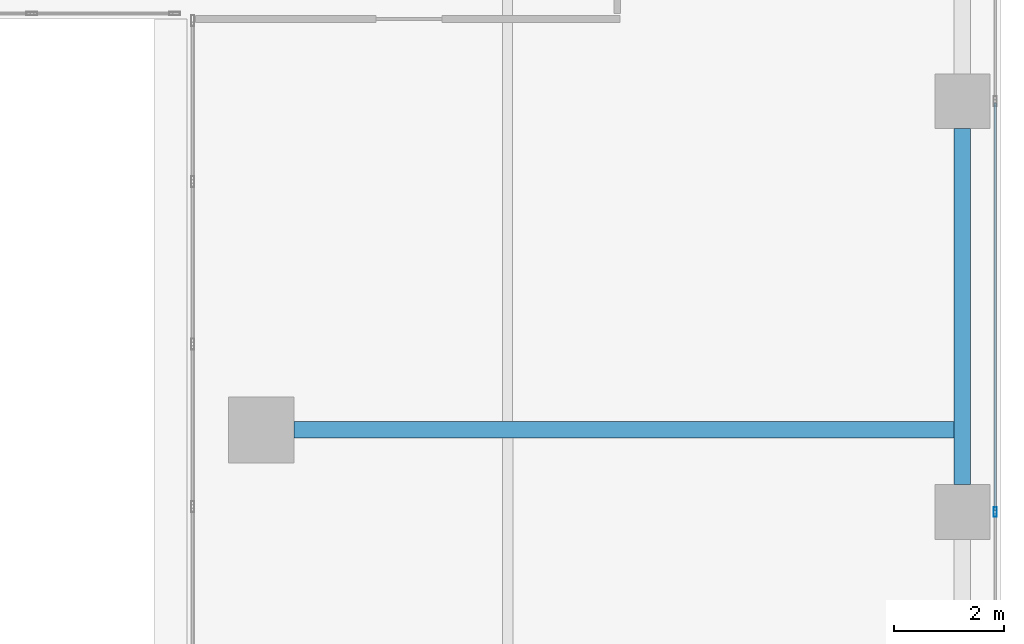
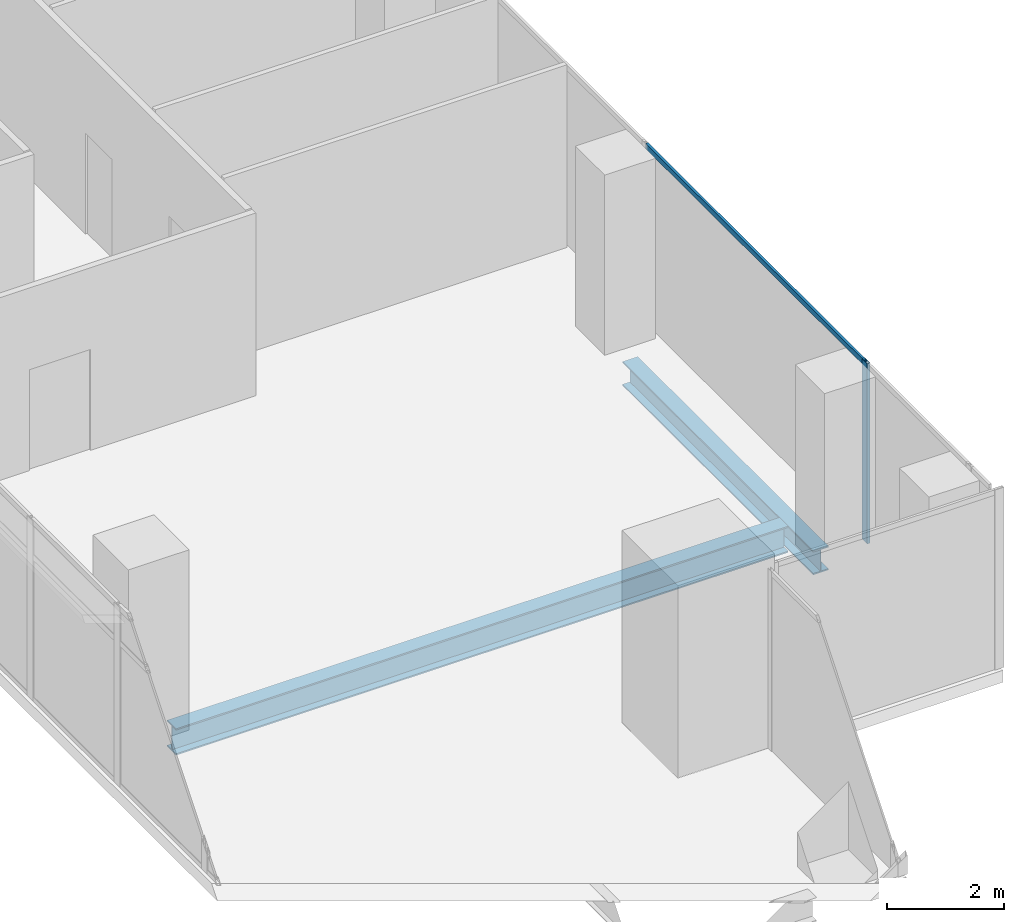
# One storey, part 13 of 40: 2 beams, 2 members, 1 element without a shape of its own.
"""IFC4 building model written with IfcOpenShell, lengths in metres."""

import ifcopenshell
import ifcopenshell.guid

model = None  # the IFC model being written
_history = None  # IfcOwnerHistory: only IFC2X3 demands one
_inside = {}  # id of a spatial element -> (the spatial element, [elements in it])
_under = {}  # id of a project, library or spatial element -> (it, [spatial elements below it])
_declared = {}  # id of a project -> (the project, [libraries it declares])
_typed = {}  # id of a type object -> (the type object, [elements of that type])
_made_of = {}  # id of a material, layer set ... -> (it, [elements and type objects made of it])


def new_model(schema):
    """Start an empty IFC model of exactly this schema.

    Asked for "IFC4X3", IfcOpenShell would pick the latest addendum, in which some entities
    have other attributes; the version numbers below select the first issue.
    IFC2X3 requires an IfcOwnerHistory on every rooted entity: one is made here for all.
    """
    global model, _history
    if schema == "IFC4X3":
        model = ifcopenshell.file(schema_version=(4, 3, 0, 0))
    else:
        model = ifcopenshell.file(schema=schema)
    _inside.clear()
    _under.clear()
    _declared.clear()
    _typed.clear()
    _made_of.clear()
    _history = None
    if model.schema == "IFC2X3":
        org = make("IfcOrganization", Name="unknown")
        user = make(
            "IfcPersonAndOrganization",
            ThePerson=make("IfcPerson", FamilyName="unknown"),
            TheOrganization=org,
        )
        app = make(
            "IfcApplication",
            ApplicationDeveloper=org,
            Version="unknown",
            ApplicationFullName="unknown",
            ApplicationIdentifier="unknown",
        )
        _history = make(
            "IfcOwnerHistory",
            OwningUser=user,
            OwningApplication=app,
            ChangeAction="ADDED",
            CreationDate=0,
        )
    return model


def make(cls, **values):
    """One entity of the class cls with the attributes given. An attribute that is None is left unset."""
    return model.create_entity(
        cls, **{name: value for name, value in values.items() if value is not None}
    )


def rooted(cls, **values):
    """An entity with a GlobalId (a new one), such as an element, a storey or a relation."""
    return make(cls, GlobalId=ifcopenshell.guid.new(), OwnerHistory=_history, **values)


def si_unit(unit_type, name, prefix=None):
    """IfcSIUnit, for example si_unit("LENGTHUNIT", "METRE", prefix="MILLI")."""
    return make("IfcSIUnit", UnitType=unit_type, Prefix=prefix, Name=name)


def assignment(units):
    """IfcUnitAssignment: the units of a project."""
    return None if units is None else make("IfcUnitAssignment", Units=units)


def point(xyz):
    """IfcCartesianPoint."""
    return None if xyz is None else make("IfcCartesianPoint", Coordinates=xyz)


def direction(xyz):
    """IfcDirection."""
    return None if xyz is None else make("IfcDirection", DirectionRatios=xyz)


def frame(location, z_axis=None, x_axis=None):
    """IfcAxis2Placement3D, a coordinate frame: its origin and axes. An axis left out is left unset."""
    return make(
        "IfcAxis2Placement3D",
        Location=point(location),
        Axis=direction(z_axis),
        RefDirection=direction(x_axis),
    )


def frame_2d(location, x_axis=None):
    """IfcAxis2Placement2D, a coordinate frame in the plane: its origin and x axis."""
    return make(
        "IfcAxis2Placement2D", Location=point(location), RefDirection=direction(x_axis)
    )


def origin():
    """The frame at (0, 0, 0) with its axes left unset."""
    return frame((0.0, 0.0, 0.0))


def origin_2d():
    """The frame at (0, 0) in the plane with its x axis left unset."""
    return frame_2d((0.0, 0.0))


def place(relative_to, where):
    """IfcLocalPlacement: puts the frame where relative to a parent placement (None: the world)."""
    return make(
        "IfcLocalPlacement", PlacementRelTo=relative_to, RelativePlacement=where
    )


def context(
    kind, dimensions, precision=None, world=None, true_north=None, identifier=None
):
    """IfcGeometricRepresentationContext, for example the 3D "Model" context."""
    return make(
        "IfcGeometricRepresentationContext",
        ContextIdentifier=identifier,
        ContextType=kind,
        CoordinateSpaceDimension=dimensions,
        Precision=precision,
        WorldCoordinateSystem=world,
        TrueNorth=true_north,
    )


def subcontext(parent, identifier, kind, view, scale=None):
    """IfcGeometricRepresentationSubContext, for example "Body" below "Model"."""
    return make(
        "IfcGeometricRepresentationSubContext",
        ContextIdentifier=identifier,
        ContextType=kind,
        ParentContext=parent,
        TargetScale=scale,
        TargetView=view,
    )


def project(units=None, contexts=None):
    """IfcProject with its units and contexts."""
    return rooted(
        "IfcProject",
        Name="project",
        RepresentationContexts=contexts,
        UnitsInContext=assignment(units),
    )


def spatial(cls, under=None, at=None, **own):
    """A site, building, storey or space (cls), placed at a placement, below another one or the project."""
    s = rooted(cls, ObjectPlacement=at, **own)
    if under is not None:
        _under.setdefault(under.id(), (under, []))[1].append(s)
    return s


def profile(cls, at=None, kind="AREA", **sizes):
    """A parametric profile (cls). Its sizes go by their IFC names, for example OverallWidth=200.0."""
    return make(cls, ProfileType=kind, Position=at, **sizes)


def hollow_rectangle(**sizes):
    """IfcRectangleHollowProfileDef."""
    return profile("IfcRectangleHollowProfileDef", **sizes)


def i_section(**sizes):
    """IfcIShapeProfileDef."""
    return profile("IfcIShapeProfileDef", **sizes)


def extrude(swept, where, along, depth):
    """IfcExtrudedAreaSolid: the profile swept, set in the frame where, extruded along a direction by depth."""
    return make(
        "IfcExtrudedAreaSolid",
        SweptArea=swept,
        Position=where,
        ExtrudedDirection=direction(along),
        Depth=depth,
    )


def shape(context_of_items, identifier, shape_type, items):
    """IfcShapeRepresentation: the items that make up one representation, for example the "Body"."""
    return make(
        "IfcShapeRepresentation",
        ContextOfItems=context_of_items,
        RepresentationIdentifier=identifier,
        RepresentationType=shape_type,
        Items=items,
    )


def source(mapping_origin, context_of_items, identifier, shape_type, items):
    """IfcRepresentationMap: a shape defined once, which mapped items show again and again."""
    return make(
        "IfcRepresentationMap",
        MappingOrigin=mapping_origin,
        MappedRepresentation=shape(context_of_items, identifier, shape_type, items),
    )


def transform(
    local_origin,
    x_axis=None,
    y_axis=None,
    z_axis=None,
    scale=None,
    scale2=None,
    scale3=None,
    uniform=True,
):
    """IfcCartesianTransformationOperator3D, or its non-uniform kind. x_axis, y_axis, z_axis: its Axis1, 2, 3."""
    if uniform:
        return make(
            "IfcCartesianTransformationOperator3D",
            Axis1=direction(x_axis),
            Axis2=direction(y_axis),
            LocalOrigin=point(local_origin),
            Scale=scale,
            Axis3=direction(z_axis),
        )
    return make(
        "IfcCartesianTransformationOperator3DnonUniform",
        Axis1=direction(x_axis),
        Axis2=direction(y_axis),
        LocalOrigin=point(local_origin),
        Scale=scale,
        Axis3=direction(z_axis),
        Scale2=scale2,
        Scale3=scale3,
    )


def mapped(mapping_source, mapping_target):
    """IfcMappedItem: shows the shape of a source again, moved by a transform."""
    return make(
        "IfcMappedItem", MappingSource=mapping_source, MappingTarget=mapping_target
    )


def material(Name=None, Category=None):
    """IfcMaterial."""
    return make("IfcMaterial", Name=Name, Category=Category)


def material_profile(
    of_material, cross_section, Name=None, Category=None, Priority=None
):
    """IfcMaterialProfile: a cross section and its material."""
    return make(
        "IfcMaterialProfile",
        Name=Name,
        Material=of_material,
        Profile=cross_section,
        Priority=Priority,
        Category=Category,
    )


def profile_set(profiles, Name=None, composite=None):
    """IfcMaterialProfileSet."""
    return make(
        "IfcMaterialProfileSet",
        Name=Name,
        MaterialProfiles=profiles,
        CompositeProfile=composite,
    )


def made_of(thing, what):
    """Note that an element or type object is made of a material, layer set ...; save() writes the relation."""
    if what is not None:
        _made_of.setdefault(what.id(), (what, []))[1].append(thing)
    return thing


def type_object(cls, material=None, **own):
    """A type object (cls), such as IfcWallType, which elements share."""
    return made_of(rooted(cls, **own), material)


def element(
    cls,
    number,
    at=None,
    inside=None,
    cuts=None,
    type_object=None,
    material=None,
    context=None,
    identifier="Body",
    shape_type=None,
    held_by="IfcProductDefinitionShape",
    body=None,
    shapes=None,
    **own,
):
    """One element of the class cls, such as IfcWall. Its Tag is "e" and its number.

    at: its placement. inside: the storey or other place that contains it. cuts: it is an
    opening in that element (IfcRelVoidsElement). A single representation is given by context,
    identifier, shape_type and body (its items); several are given by shapes. held_by: the class
    of the entity that holds the representations. save() writes the other relations.
    """
    e = rooted(cls, Tag="e%d" % number, ObjectPlacement=at, **own)
    if body is not None:
        shapes = [shape(context, identifier, shape_type, body)]
    if shapes is not None:
        e.Representation = make(held_by, Representations=shapes)
    if inside is not None:
        _inside.setdefault(inside.id(), (inside, []))[1].append(e)
    if cuts is not None:
        rooted(
            "IfcRelVoidsElement", RelatingBuildingElement=cuts, RelatedOpeningElement=e
        )
    if type_object is not None:
        _typed.setdefault(type_object.id(), (type_object, []))[1].append(e)
    return made_of(e, material)


def aggregate(whole, parts):
    """IfcRelAggregates: a whole, such as a stair, and the parts it consists of."""
    return rooted("IfcRelAggregates", RelatingObject=whole, RelatedObjects=parts)


def save(model, path):
    """Write the relations noted so far, then the file.

    IfcRelAggregates (storeys below a building ...), IfcRelContainedInSpatialStructure (elements
    in a storey), IfcRelDefinesByType, IfcRelAssociatesMaterial and IfcRelDeclares: one each for
    every whole, place, type object, material and project.
    """
    for whole, parts in _under.values():
        aggregate(whole, parts)
    for where, things in _inside.values():
        rooted(
            "IfcRelContainedInSpatialStructure",
            RelatedElements=things,
            RelatingStructure=where,
        )
    for kind, things in _typed.values():
        rooted("IfcRelDefinesByType", RelatedObjects=things, RelatingType=kind)
    for what, things in _made_of.values():
        rooted("IfcRelAssociatesMaterial", RelatedObjects=things, RelatingMaterial=what)
    for by, libraries in _declared.values():
        rooted("IfcRelDeclares", RelatingContext=by, RelatedDefinitions=libraries)
    model.write(path)


model = new_model("IFC4")

# Units and contexts
model_context = context("Model", 3, precision=1e-05, world=origin(), true_north=direction((0.0, 1.0)))
body_context = subcontext(model_context, "Body", "Model", "MODEL_VIEW")
ifc_project = project(units=[si_unit("LENGTHUNIT", "METRE"), si_unit("AREAUNIT", "SQUARE_METRE"), si_unit("VOLUMEUNIT", "CUBIC_METRE"), si_unit("PLANEANGLEUNIT", "RADIAN"), si_unit("MASSUNIT", "GRAM", prefix="KILO")], contexts=[model_context])

# Site, building, storey
site_placement = place(None, origin())
site = spatial("IfcSite", under=ifc_project, at=site_placement, CompositionType="ELEMENT")
building_placement = place(site_placement, origin())
building = spatial("IfcBuilding", under=site, at=building_placement, Name="Khomas Fold Tower", CompositionType="ELEMENT")
storey_placement = place(building_placement, frame((0.0, 0.0, 180.699951171875)))
storey = spatial("IfcBuildingStorey", under=building, at=storey_placement, Name="L39", CompositionType="ELEMENT", Elevation=180.699951171875)

# Beams
ifc_material_1 = material(Name="Steel S355", Category="steel")
ifc_material_profile_1 = material_profile(ifc_material_1, i_section(OverallWidth=0.300048828125, OverallDepth=0.5, WebThickness=0.014404296875, FlangeThickness=0.028076171875, at=origin_2d()), Name="HE 500 B")
ifc_profile_set_1 = profile_set([ifc_material_profile_1], Name="Steel S355")
beam_type_1 = type_object("IfcBeamType", Name="HE 500 B spandrel SB3", PredefinedType="SPANDREL", material=ifc_profile_set_1)
shared_shape_1 = source(origin(), body_context, "Body", "SweptSolid", [
    extrude(i_section(OverallWidth=0.300048828125, OverallDepth=0.5, WebThickness=0.014404296875, FlangeThickness=0.028076171875, at=origin_2d()), origin(), (0.0, 0.0, 1.0), 6.5),
])
beam_1_placement = place(storey_placement, frame((50.300048828125, 12.5, -0.5), z_axis=(0.0, 1.0, 0.0), x_axis=(-1.0, 0.0, 0.0)))
element("IfcBeam", 1, at=beam_1_placement, inside=storey, type_object=beam_type_1, Name="SB3", PredefinedType="SPANDREL", context=body_context, shape_type="MappedRepresentation", body=[
    mapped(shared_shape_1, transform((0.0, 0.0, 0.0))),
])
ifc_material_2 = material(Name="Steel S355", Category="steel")
ifc_material_profile_2 = material_profile(ifc_material_2, i_section(OverallWidth=0.300048828125, OverallDepth=0.550048828125, WebThickness=0.014892578125, FlangeThickness=0.029052734375, at=origin_2d()), Name="HE 550 B")
ifc_profile_set_2 = profile_set([ifc_material_profile_2], Name="Steel S355")
beam_type_2 = type_object("IfcBeamType", Name="HE 550 B beam GB4", PredefinedType="BEAM", material=ifc_profile_set_2)
shared_shape_2 = source(origin(), body_context, "Body", "SweptSolid", [
    extrude(i_section(OverallWidth=0.300048828125, OverallDepth=0.550048828125, WebThickness=0.014892578125, FlangeThickness=0.029052734375, at=origin_2d()), origin(), (0.0, 0.0, 1.0), 12.0498046875),
])
beam_2_placement = place(storey_placement, frame((38.10009765625, 13.5, -0.52490234375), z_axis=(1.0, 0.0, 0.0), x_axis=(0.0, 1.0, 0.0)))
element("IfcBeam", 2, at=beam_2_placement, inside=storey, type_object=beam_type_2, Name="GB4", PredefinedType="BEAM", context=body_context, shape_type="MappedRepresentation", body=[
    mapped(shared_shape_2, transform((0.0, 0.0, 0.0))),
])

# Curtain wall, members
ifc_material_3 = material(Name="Aluminium framed double glazing", Category="aluminium")
curtain_wall_type = type_object("IfcCurtainWallType", Name="SK-Unitised clear-glass wall, office floors CW2", PredefinedType="NOTDEFINED", material=ifc_material_3)
curtain_wall_placement = place(storey_placement, origin())
curtain_wall = element("IfcCurtainWall", 3, at=curtain_wall_placement, inside=storey, type_object=curtain_wall_type, Name="CW2 run L39 08-0", PredefinedType="NOTDEFINED")
ifc_material_4 = material(Name="Aluminium", Category="aluminium")
ifc_material_profile_3 = material_profile(ifc_material_4, hollow_rectangle(XDim=0.06005859375, YDim=0.179931640625, WallThickness=0.00390625, at=origin_2d()), Name="SK-Unitised clear-glass wall, office floors mullion CW2-M")
ifc_profile_set_3 = profile_set([ifc_material_profile_3], Name="Aluminium")
member_type_1 = type_object("IfcMemberType", Name="SK-Unitised clear-glass wall, office floors mullion CW2-M", PredefinedType="MULLION", material=ifc_profile_set_3)
shared_shape_3 = source(origin(), body_context, "Body", "SweptSolid", [
    extrude(hollow_rectangle(XDim=0.06005859375, YDim=0.179931640625, WallThickness=0.00390625, at=origin_2d()), origin(), (0.0, 0.0, 1.0), 3.75),
])
member_1_placement = place(storey_placement, frame((50.89990234375, 12.0, 0.0), z_axis=(0.0, 0.0, 1.0), x_axis=(-1.0, 0.0, 0.0)))
member_1 = element("IfcMember", 4, at=member_1_placement, type_object=member_type_1, Name="CW2 mullion 3", PredefinedType="MULLION", context=body_context, shape_type="MappedRepresentation", body=[
    mapped(shared_shape_3, transform((0.0, 0.0, 0.0))),
])
ifc_material_5 = material(Name="Aluminium", Category="aluminium")
ifc_material_profile_4 = material_profile(ifc_material_5, hollow_rectangle(XDim=0.050048828125, YDim=0.110107421875, WallThickness=0.00390625, at=origin_2d()), Name="SK-Unitised clear-glass wall, office floors transom CW2-T")
ifc_profile_set_4 = profile_set([ifc_material_profile_4], Name="Aluminium")
member_type_2 = type_object("IfcMemberType", Name="SK-Unitised clear-glass wall, office floors transom CW2-T", PredefinedType="USERDEFINED", material=ifc_profile_set_4)
shared_shape_4 = source(origin(), body_context, "Body", "SweptSolid", [
    extrude(hollow_rectangle(XDim=0.050048828125, YDim=0.110107421875, WallThickness=0.00390625, at=origin_2d()), origin(), (0.0, 0.0, 1.0), 7.43994140625),
])
member_2_placement = place(storey_placement, frame((50.89990234375, 12.030029296875, 3.695068359375), z_axis=(0.0, 1.0, 0.0), x_axis=(-1.0, 0.0, 0.0)))
member_2 = element("IfcMember", 5, at=member_2_placement, type_object=member_type_2, Name="CW2 transom 3", ObjectType="TRANSOM", PredefinedType="USERDEFINED", context=body_context, shape_type="MappedRepresentation", body=[
    mapped(shared_shape_4, transform((0.0, 0.0, 0.0))),
])
aggregate(curtain_wall, [member_1, member_2])

save(model, "model.ifc")
